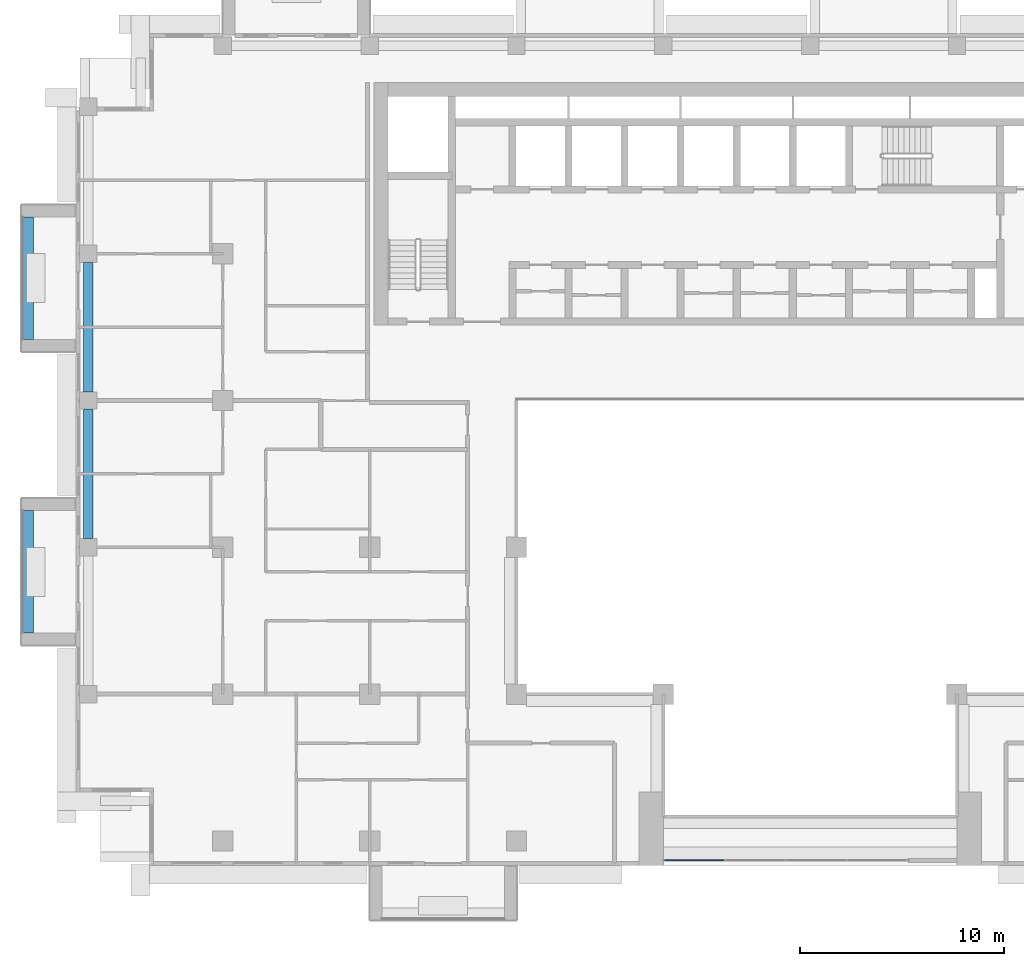
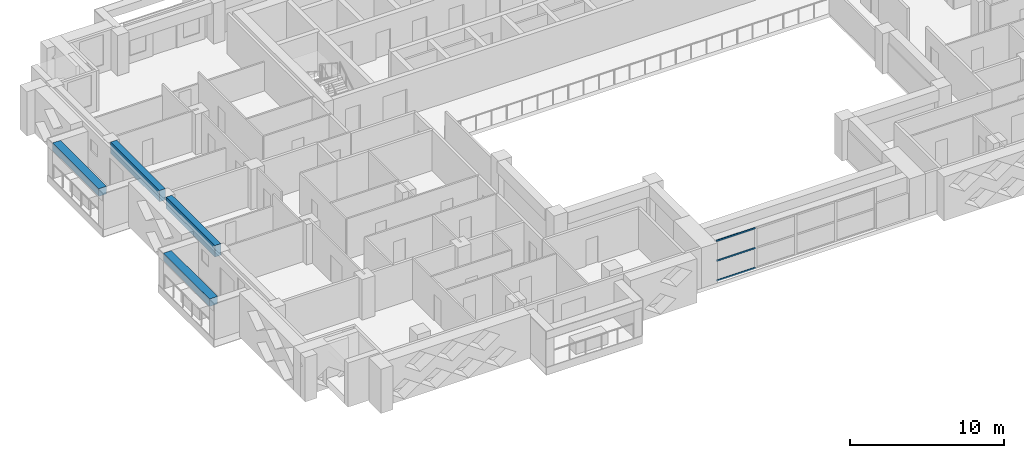
# One storey, part 3 of 20: 4 beams, 3 members, 1 element without a shape of its own.
"""IFC4 building model written with IfcOpenShell, lengths in metres."""

from ifc_helpers import new_model, si_unit, direction, frame, origin, origin_2d, place, context, subcontext, project, spatial, rectangle, extrude, source, transform, mapped, material, layer, layer_set, material_profile, profile_set, type_object, element, aggregate, save


model = new_model("IFC4")

# Units and contexts
model_context = context("Model", 3, precision=1e-05, world=origin(), true_north=direction((0.0, 1.0)))
body_context = subcontext(model_context, "Body", "Model", "MODEL_VIEW")
ifc_project = project(units=[si_unit("LENGTHUNIT", "METRE"), si_unit("AREAUNIT", "SQUARE_METRE"), si_unit("VOLUMEUNIT", "CUBIC_METRE"), si_unit("PLANEANGLEUNIT", "RADIAN"), si_unit("MASSUNIT", "GRAM", prefix="KILO")], contexts=[model_context])

# Site, building, storey
site_placement = place(None, origin())
site = spatial("IfcSite", under=ifc_project, at=site_placement, CompositionType="ELEMENT")
building_placement = place(site_placement, origin())
building = spatial("IfcBuilding", under=site, at=building_placement, Name="Saffron Iwan Residences", CompositionType="ELEMENT")
storey_placement = place(building_placement, frame((0.0, 0.0, 150.0)))
storey = spatial("IfcBuildingStorey", under=building, at=storey_placement, Name="L39", CompositionType="ELEMENT", Elevation=150.0)

# Beams
ifc_material_1 = material(Name="Concrete C50/60", Category="concrete")
ifc_material_profile_1 = material_profile(ifc_material_1, rectangle(XDim=0.449951171875, YDim=0.89990234375, at=origin_2d()), Name="RC 450x900")
ifc_profile_set_1 = profile_set([ifc_material_profile_1], Name="Concrete C50/60")
beam_type_1 = type_object("IfcBeamType", Name="SPANDREL BEAM RC 450x900 C50/60 TOP 3200", PredefinedType="SPANDREL", material=ifc_profile_set_1)
shared_shape_1 = source(origin(), body_context, "Body", "SweptSolid", [
    extrude(rectangle(XDim=0.449951171875, YDim=0.89990234375, at=origin_2d()), origin(), (0.0, 0.0, 1.0), 6.35009765625),
])
for number, where, z_axis, x_axis, name in (
    (1, (15.0, 55.625, 2.75), (0.0, 1.0, 0.0), (-1.0, 0.0, 0.0), "Spandrel beam"),
    (2, (15.0, 62.824951171875, 2.75), (0.0, 1.0, 0.0), (-1.0, 0.0, 0.0), "Spandrel beam"),
):
    element("IfcBeam", number, at=place(storey_placement, frame(where, z_axis=z_axis, x_axis=x_axis)), inside=storey, type_object=beam_type_1, Name=name, PredefinedType="SPANDREL", context=body_context, shape_type="MappedRepresentation", body=[
        mapped(shared_shape_1, transform((0.0, 0.0, 0.0))),
    ])

# Curtain wall, members
ifc_material_2 = material(Name="Clear glass, laminated double glazed", Category="glass")
ifc_layer = layer(ifc_material_2, 0.199951171875)
ifc_layer_set = layer_set([ifc_layer], Name="Clear glass, laminated double glazed")
curtain_wall_type = type_object("IfcCurtainWallType", Name="CW-B IWAN PORTAL", PredefinedType="NOTDEFINED", material=ifc_layer_set)
curtain_wall_placement = place(storey_placement, origin())
curtain_wall = element("IfcCurtainWall", 3, at=curtain_wall_placement, inside=storey, type_object=curtain_wall_type, Name="Iwan portal glazing L39.1", PredefinedType="NOTDEFINED")
ifc_material_3 = material(Name="Aluminium 6063-T6", Category="aluminium")
ifc_material_profile_2 = material_profile(ifc_material_3, rectangle(XDim=0.06005859375, YDim=0.1201171875, at=origin_2d()), Name="CW-B TRANSOM 60 x 120")
ifc_profile_set_2 = profile_set([ifc_material_profile_2], Name="Aluminium 6063-T6")
member_type = type_object("IfcMemberType", Name="CW-B TRANSOM 60 x 120", PredefinedType="USERDEFINED", material=ifc_profile_set_2)
shared_shape_2 = source(origin(), body_context, "Body", "SweptSolid", [
    extrude(rectangle(XDim=0.06005859375, YDim=0.1201171875, at=origin_2d()), origin(), (0.0, 0.0, 1.0), 2.909912109375),
])
member_1_placement = place(storey_placement, frame((43.260009765625, 39.85009765625, 0.030029296875), z_axis=(1.0, 0.0, 0.0), x_axis=(0.0, 1.0, 0.0)))
member_1 = element("IfcMember", 4, at=member_1_placement, type_object=member_type, Name="CW-B transom 1.1", ObjectType="TRANSOM", PredefinedType="USERDEFINED", context=body_context, shape_type="MappedRepresentation", body=[
    mapped(shared_shape_2, transform((0.0, 0.0, 0.0))),
])
member_2_placement = place(storey_placement, frame((43.260009765625, 39.85009765625, 1.60009765625), z_axis=(1.0, 0.0, 0.0), x_axis=(0.0, 1.0, 0.0)))
member_2 = element("IfcMember", 5, at=member_2_placement, type_object=member_type, Name="CW-B transom 1.2", ObjectType="TRANSOM", PredefinedType="USERDEFINED", context=body_context, shape_type="MappedRepresentation", body=[
    mapped(shared_shape_2, transform((0.0, 0.0, 0.0))),
])
member_3_placement = place(storey_placement, frame((43.260009765625, 39.85009765625, 3.169921875), z_axis=(1.0, 0.0, 0.0), x_axis=(0.0, 1.0, 0.0)))
member_3 = element("IfcMember", 6, at=member_3_placement, type_object=member_type, Name="CW-B transom 1.3", ObjectType="TRANSOM", PredefinedType="USERDEFINED", context=body_context, shape_type="MappedRepresentation", body=[
    mapped(shared_shape_2, transform((0.0, 0.0, 0.0))),
])
aggregate(curtain_wall, [member_1, member_2, member_3])

# Beams
ifc_material_4 = material(Name="Concrete C50/60 white painted", Category="concrete")
ifc_material_profile_3 = material_profile(ifc_material_4, rectangle(XDim=0.60009765625, YDim=0.60009765625, at=origin_2d()), Name="BALCONY FASCIA BEAM 600 x 600")
ifc_profile_set_3 = profile_set([ifc_material_profile_3], Name="Concrete C50/60 white painted")
beam_type_2 = type_object("IfcBeamType", Name="BALCONY FASCIA BEAM 600 x 600", PredefinedType="BEAM", material=ifc_profile_set_3)
shared_shape_3 = source(origin(), body_context, "Body", "SweptSolid", [
    extrude(rectangle(XDim=0.60009765625, YDim=0.60009765625, at=origin_2d()), origin(), (0.0, 0.0, 1.0), 6.0),
])
for number, where, z_axis, x_axis, name in (
    (7, (12.0, 71.39990234375, 2.550048828125), (0.0, -1.0, 0.0), (1.0, 0.0, 0.0), "Balcony fascia beam L39 F8-0"),
    (8, (12.0, 57.0, 2.550048828125), (0.0, -1.0, 0.0), (1.0, 0.0, 0.0), "Balcony fascia beam L39 F8-1"),
):
    element("IfcBeam", number, at=place(storey_placement, frame(where, z_axis=z_axis, x_axis=x_axis)), inside=storey, type_object=beam_type_2, Name=name, PredefinedType="BEAM", context=body_context, shape_type="MappedRepresentation", body=[
        mapped(shared_shape_3, transform((0.0, 0.0, 0.0))),
    ])

save(model, "model.ifc")
